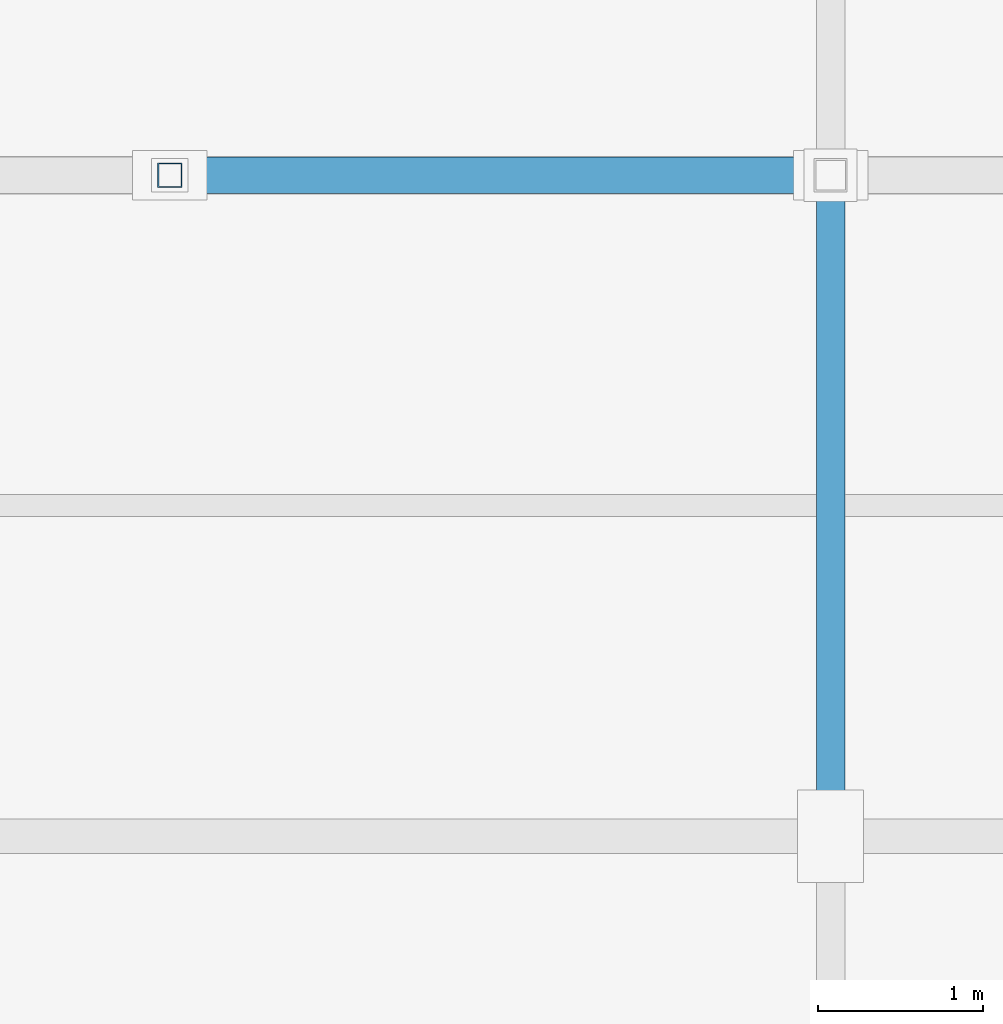
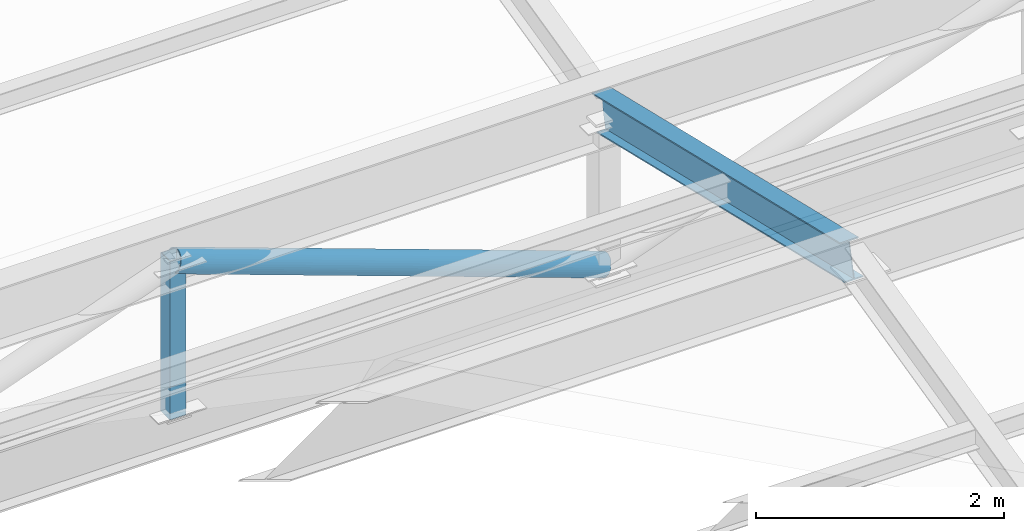
# One storey, part 48 of 112: 3 members.
"""IFC4 building model written with IfcOpenShell, lengths in metres."""

from ifc_helpers import new_model, si_unit, direction, frame, origin, origin_2d, place, context, subcontext, project, spatial, hollow_rectangle, hollow_circle, i_section, extrude, material, material_profile, profile_set, type_object, element, save


model = new_model("IFC4")

# Units and contexts
model_context = context("Model", 3, precision=1e-05, world=origin(), true_north=direction((0.0, 1.0)))
body_context = subcontext(model_context, "Body", "Model", "MODEL_VIEW")
ifc_project = project(units=[si_unit("LENGTHUNIT", "METRE"), si_unit("AREAUNIT", "SQUARE_METRE"), si_unit("VOLUMEUNIT", "CUBIC_METRE"), si_unit("PLANEANGLEUNIT", "RADIAN"), si_unit("MASSUNIT", "GRAM", prefix="KILO")], contexts=[model_context])

# Site, building, storey
site_placement = place(None, origin())
site = spatial("IfcSite", under=ifc_project, at=site_placement, CompositionType="ELEMENT")
building_placement = place(site_placement, origin())
building = spatial("IfcBuilding", under=site, at=building_placement, Name="Celadon Cloister-Ring School", CompositionType="ELEMENT")
storey_placement = place(building_placement, frame((0.0, 0.0, 8.5)))
storey = spatial("IfcBuildingStorey", under=building, at=storey_placement, Name="L02", CompositionType="ELEMENT", Elevation=8.5)

# Members
ifc_material_1 = material(Name="Structural steel S355JR", Category="steel")
ifc_material_profile_1 = material_profile(ifc_material_1, hollow_rectangle(XDim=0.14990234375, YDim=0.14990234375, WallThickness=0.008056640625, at=origin_2d()), Name="HSS150X150X8")
ifc_profile_set_1 = profile_set([ifc_material_profile_1], Name="Structural steel S355JR")
member_type_1 = type_object("IfcMemberType", Name="MB-05", PredefinedType="BRACE", material=ifc_profile_set_1)
member_1_placement = place(storey_placement, frame((154.0, 90.0, 0.919921875), z_axis=(0.0, 0.0, 1.0), x_axis=(1.0, 0.0, 0.0)))
element("IfcMember", 1, at=member_1_placement, inside=storey, type_object=member_type_1, Name="Structural Member 0438", PredefinedType="BRACE", context=body_context, shape_type="SweptSolid", body=[
    extrude(hollow_rectangle(XDim=0.14990234375, YDim=0.14990234375, WallThickness=0.008056640625, at=origin_2d()), origin(), (0.0, 0.0, 1.0), 1.56005859375),
])
ifc_material_2 = material(Name="Structural steel S355JR", Category="steel")
ifc_material_profile_2 = material_profile(ifc_material_2, hollow_circle(Radius=0.109619140625, WallThickness=0.010009765625, at=origin_2d()), Name="CHS219.1X10")
ifc_profile_set_2 = profile_set([ifc_material_profile_2], Name="Structural steel S355JR")
member_type_2 = type_object("IfcMemberType", Name="MB-08", PredefinedType="BRACE", material=ifc_profile_set_2)
member_2_placement = place(storey_placement, frame((154.0, 90.0, 2.419921875), z_axis=(0.94089180426, 0.0, -0.338707266939), x_axis=(0.0, 1.0, 0.0)))
element("IfcMember", 2, at=member_2_placement, inside=storey, type_object=member_type_2, Name="Structural Member 0445", PredefinedType="BRACE", context=body_context, shape_type="SweptSolid", body=[
    extrude(hollow_circle(Radius=0.109619140625, WallThickness=0.010009765625, at=origin_2d()), origin(), (0.0, 0.0, 1.0), 4.251220703125),
])
ifc_material_3 = material(Name="Structural steel S355JR", Category="steel")
ifc_material_profile_3 = material_profile(ifc_material_3, i_section(OverallWidth=0.1708984375, OverallDepth=0.35498046875, WebThickness=0.007080078125, FlangeThickness=0.01171875, at=origin_2d()), Name="W360X51")
ifc_profile_set_3 = profile_set([ifc_material_profile_3], Name="Structural steel S355JR")
member_type_3 = type_object("IfcMemberType", Name="MR-05", PredefinedType="RAFTER", material=ifc_profile_set_3)
member_3_placement = place(storey_placement, frame((158.0, 86.0, 3.449951171875), z_axis=(0.0, 0.97293922076, -0.231061188231), x_axis=(-1.0, 0.0, 0.0)))
element("IfcMember", 3, at=member_3_placement, inside=storey, type_object=member_type_3, Name="Structural Member 0530", PredefinedType="RAFTER", context=body_context, shape_type="SweptSolid", body=[
    extrude(i_section(OverallWidth=0.1708984375, OverallDepth=0.35498046875, WebThickness=0.007080078125, FlangeThickness=0.01171875, at=origin_2d()), origin(), (0.0, 0.0, 1.0), 4.111328125),
])

save(model, "model.ifc")
